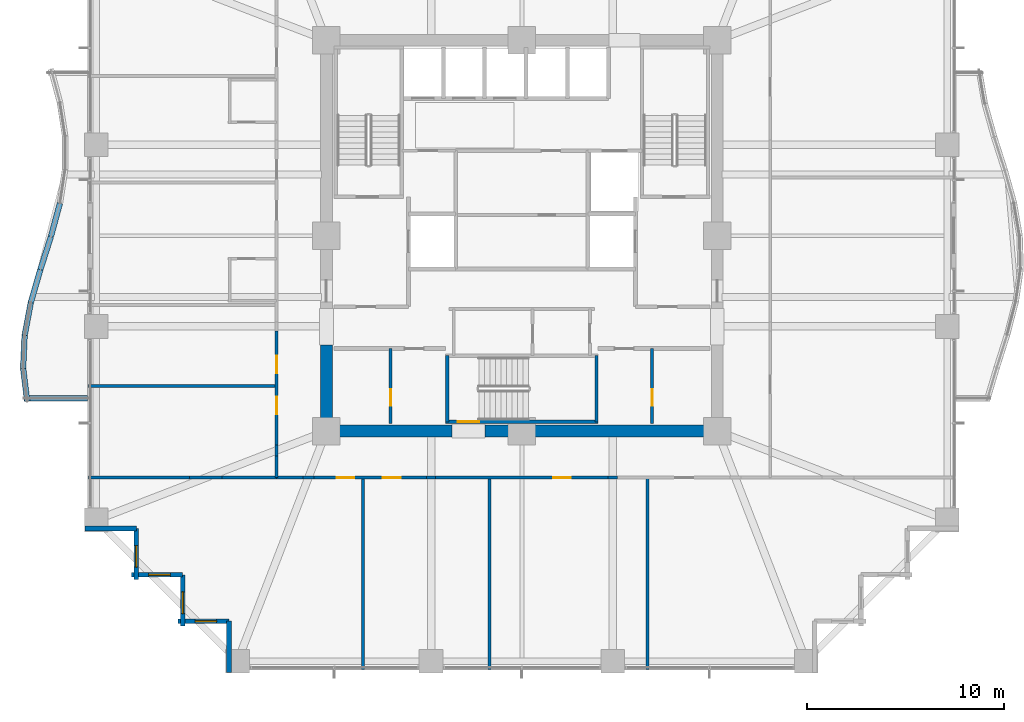
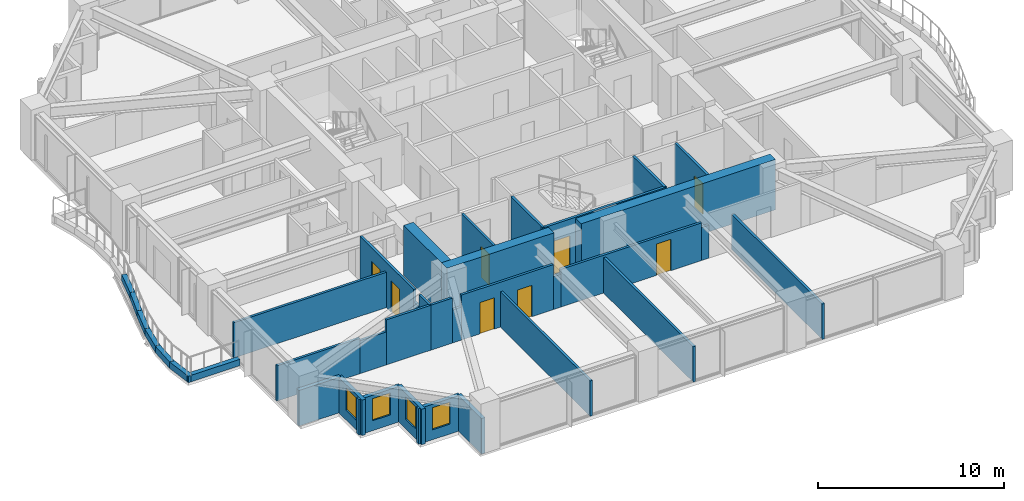
# One storey, part 32 of 38: 37 walls, 8 doors, 4 windows, 12 openings.
"""IFC4 building model written with IfcOpenShell, lengths in metres."""

from ifc_helpers import new_model, si_unit, direction, frame, frame_2d, origin, place, context, subcontext, project, spatial, rectangle, extrude, material, layer, layer_set, type_object, element, fill, save


model = new_model("IFC4")

# Units and contexts
model_context = context("Model", 3, precision=1e-05, world=origin(), true_north=direction((0.0, 1.0)))
body_context = subcontext(model_context, "Body", "Model", "MODEL_VIEW")
ifc_project = project(units=[si_unit("LENGTHUNIT", "METRE"), si_unit("AREAUNIT", "SQUARE_METRE"), si_unit("VOLUMEUNIT", "CUBIC_METRE"), si_unit("PLANEANGLEUNIT", "RADIAN"), si_unit("MASSUNIT", "GRAM", prefix="KILO")], contexts=[model_context])

# Site, building, storey
site_placement = place(None, origin())
site = spatial("IfcSite", under=ifc_project, at=site_placement, CompositionType="ELEMENT")
building_placement = place(site_placement, origin())
building = spatial("IfcBuilding", under=site, at=building_placement, Name="Kolvaren Belvedere", CompositionType="ELEMENT")
storey_placement = place(building_placement, frame((0.0, 0.0, 60.10009765625)))
storey = spatial("IfcBuildingStorey", under=building, at=storey_placement, Name="L17", CompositionType="ELEMENT", Elevation=60.10009765625)

# Walls
ifc_material_1 = material(Name="Concrete C60/75", Category="concrete")
ifc_layer_1 = layer(ifc_material_1, 0.60009765625)
ifc_layer_set_1 = layer_set([ifc_layer_1], Name="Concrete C60/75")
wall_type_1 = type_object("IfcWallType", Name="CW-CORE-600", PredefinedType="SHEAR", material=ifc_layer_set_1)
wall_1_placement = place(storey_placement, frame((10.199951171875, -9.89990234375, 0.0), z_axis=(0.0, 0.0, 1.0), x_axis=(-1.0, 0.0, 0.0)))
element("IfcWall", 1, at=wall_1_placement, inside=storey, type_object=wall_type_1, Name="L17 South Core Shear Wall 1", PredefinedType="SHEAR", context=body_context, shape_type="SweptSolid", body=[
    extrude(rectangle(XDim=12.06005859375, YDim=0.60009765625, at=frame_2d((6.030029296875, 0.0))), origin(), (0.0, 0.0, 1.0), 3.2998046875),
])
wall_2_placement = place(storey_placement, frame((-3.5400390625, -9.89990234375, 0.0), z_axis=(0.0, 0.0, 1.0), x_axis=(-1.0, 0.0, 0.0)))
element("IfcWall", 2, at=wall_2_placement, inside=storey, type_object=wall_type_1, Name="L17 South Core Shear Wall 2", PredefinedType="SHEAR", context=body_context, shape_type="SweptSolid", body=[
    extrude(rectangle(XDim=6.659912109375, YDim=0.60009765625, at=frame_2d((3.330078125, 0.0))), origin(), (0.0, 0.0, 1.0), 3.2998046875),
])
wall_3_placement = place(storey_placement, frame((-9.89990234375, -9.60009765625, 0.0), z_axis=(0.0, 0.0, 1.0), x_axis=(0.0, 1.0, 0.0)))
element("IfcWall", 3, at=wall_3_placement, inside=storey, type_object=wall_type_1, Name="L17 West Core Shear Wall 1", PredefinedType="SHEAR", context=body_context, shape_type="SweptSolid", body=[
    extrude(rectangle(XDim=4.050048828125, YDim=0.60009765625, at=frame_2d((2.02490234375, 0.0))), origin(), (0.0, 0.0, 1.0), 3.2998046875),
])

# Wall, opening, door
ifc_material_2 = material(Name="Concrete C50/60", Category="concrete")
ifc_layer_2 = layer(ifc_material_2, 0.159912109375)
ifc_layer_set_2 = layer_set([ifc_layer_2], Name="Concrete C50/60")
wall_type_2 = type_object("IfcWallType", Name="CW-STAIR-160", PredefinedType="SHEAR", material=ifc_layer_set_2)
wall_4_placement = place(storey_placement, frame((3.860107421875, -9.429931640625, 0.0), z_axis=(0.0, 0.0, 1.0), x_axis=(-1.0, 0.0, 0.0)))
wall_4 = element("IfcWall", 4, at=wall_4_placement, inside=storey, type_object=wall_type_2, Name="L17 Stair ST-3 South Shear Wall", PredefinedType="SHEAR", context=body_context, shape_type="SweptSolid", body=[
    extrude(rectangle(XDim=7.72021484375, YDim=0.159912109375, at=frame_2d((3.860107421875, 0.0))), origin(), (0.0, 0.0, 1.0), 3.2998046875),
])
opening_1_placement = place(wall_4_placement, frame((6.010009765625, 0.0, 0.0)))
opening_1 = element("IfcOpeningElement", 5, at=opening_1_placement, cuts=wall_4, Name="Opening D-FD90", PredefinedType="OPENING", context=body_context, shape_type="SweptSolid", body=[
    extrude(rectangle(XDim=1.10009765625, YDim=2.199951171875, at=frame_2d((0.550048828125, 1.10009765625))), frame((0.0, 0.08984375, 0.0), z_axis=(0.0, -1.0, 0.0), x_axis=(1.0, 0.0, 0.0)), (0.0, 0.0, 1.0), 0.179931640625),
])
ifc_material_3 = material(Name="Painted hollow stainless steel", Category="steel")
door_type_1 = type_object("IfcDoorType", Name="DR-FD90-1100", OperationType="NOTDEFINED", PredefinedType="DOOR", material=ifc_material_3)
door_1_placement = place(opening_1_placement, origin())
door_1 = element("IfcDoor", 6, at=door_1_placement, inside=storey, type_object=door_type_1, Name="L17 Stair ST-3 Exit Door", OperationType="SINGLE_SWING_RIGHT", OverallHeight=2.199951171875, OverallWidth=1.10009765625, PredefinedType="DOOR", context=body_context, shape_type="SweptSolid", body=[
    extrude(rectangle(XDim=1.10009765625, YDim=2.199951171875, at=frame_2d((0.550048828125, 1.10009765625))), frame((0.0, 0.02490234375, 0.0), z_axis=(0.0, -1.0, 0.0), x_axis=(1.0, 0.0, 0.0)), (0.0, 0.0, 1.0), 0.050048828125),
])
fill(opening_1, door_1)

# Walls
for number, where, z_axis, x_axis, name in (
    (7, (-3.780029296875, -9.429931640625, 0.0), (0.0, 0.0, 1.0), (0.0, 1.0, 0.0), "L17 Stair ST-3 West Shear Wall"),
    (8, (3.780029296875, -9.429931640625, 0.0), (0.0, 0.0, 1.0), (0.0, 1.0, 0.0), "L17 Stair ST-3 East Shear Wall"),
):
    element("IfcWall", number, at=place(storey_placement, frame(where, z_axis=z_axis, x_axis=x_axis)), inside=storey, type_object=wall_type_2, Name=name, PredefinedType="SHEAR", context=body_context, shape_type="SweptSolid", body=[
        extrude(rectangle(XDim=3.349853515625, YDim=0.159912109375, at=frame_2d((1.6748046875, 0.0))), origin(), (0.0, 0.0, 1.0), 3.2998046875),
    ])
ifc_material_4 = material(Name="Gypsum fire-rated partition assembly", Category="gypsum")
ifc_layer_3 = layer(ifc_material_4, 0.14990234375)
ifc_layer_set_3 = layer_set([ifc_layer_3], Name="Gypsum fire-rated partition assembly")
wall_type_3 = type_object("IfcWallType", Name="WL-CORR-150", PredefinedType="PARTITIONING", material=ifc_layer_set_3)
wall_5_placement = place(storey_placement, frame((-12.419921875, -12.260009765625, 0.0), z_axis=(0.0, 0.0, 1.0), x_axis=(1.0, 0.0, 0.0)))
element("IfcWall", 9, at=wall_5_placement, inside=storey, type_object=wall_type_3, Name="L17 South Corridor Wall", PredefinedType="PARTITIONING", context=body_context, shape_type="SweptSolid", body=[
    extrude(rectangle(XDim=1.32763671875, YDim=0.14990234375, at=frame_2d((0.663818359375, 0.0))), origin(), (0.0, 0.0, 1.0), 2.949951171875),
])
wall_6_placement = place(storey_placement, frame((-11.09228515625, -12.260009765625, 0.0), z_axis=(0.0, 0.0, 1.0), x_axis=(1.0, 0.0, 0.0)))
element("IfcWall", 10, at=wall_6_placement, inside=storey, type_object=wall_type_3, Name="L17 South Corridor Wall", PredefinedType="PARTITIONING", context=body_context, shape_type="SweptSolid", body=[
    extrude(rectangle(XDim=0.561279296875, YDim=0.14990234375, at=frame_2d((0.28076171875, 0.0))), origin(), (0.0, 0.0, 1.0), 2.161865234375),
])

# Wall, openings, doors
wall_7_placement = place(storey_placement, frame((-10.531005859375, -12.260009765625, 0.0), z_axis=(0.0, 0.0, 1.0), x_axis=(1.0, 0.0, 0.0)))
wall_7 = element("IfcWall", 11, at=wall_7_placement, inside=storey, type_object=wall_type_3, Name="L17 South Corridor Wall", PredefinedType="PARTITIONING", context=body_context, shape_type="SweptSolid", body=[
    extrude(rectangle(XDim=5.698486328125, YDim=0.14990234375, at=frame_2d((2.84912109375, 0.0))), origin(), (0.0, 0.0, 1.0), 2.949951171875),
])
opening_2_placement = place(wall_7_placement, frame((1.1494140625, 0.0, 0.0)))
opening_2 = element("IfcOpeningElement", 12, at=opening_2_placement, cuts=wall_7, Name="Opening D-INT90", PredefinedType="OPENING", context=body_context, shape_type="SweptSolid", body=[
    extrude(rectangle(XDim=0.89990234375, YDim=2.06005859375, at=frame_2d((0.449951171875, 1.030029296875))), frame((0.0, 0.0849609375, 0.0), z_axis=(0.0, -1.0, 0.0), x_axis=(1.0, 0.0, 0.0)), (0.0, 0.0, 1.0), 0.169921875),
])
opening_3_placement = place(wall_7_placement, frame((3.484375, 0.0, 0.0)))
opening_3 = element("IfcOpeningElement", 13, at=opening_3_placement, cuts=wall_7, Name="Opening D-INT90", PredefinedType="OPENING", context=body_context, shape_type="SweptSolid", body=[
    extrude(rectangle(XDim=0.89990234375, YDim=2.06005859375, at=frame_2d((0.449951171875, 1.030029296875))), frame((0.0, 0.0849609375, 0.0), z_axis=(0.0, -1.0, 0.0), x_axis=(1.0, 0.0, 0.0)), (0.0, 0.0, 1.0), 0.169921875),
])
ifc_material_5 = material(Name="Stained Pacific white oak", Category="timber")
door_type_2 = type_object("IfcDoorType", Name="DR-INT-900", OperationType="NOTDEFINED", PredefinedType="DOOR", material=ifc_material_5)
door_2_placement = place(opening_2_placement, origin())
door_2 = element("IfcDoor", 14, at=door_2_placement, inside=storey, type_object=door_type_2, Name="L17 Lounge 1701 Door", OperationType="SINGLE_SWING_LEFT", OverallHeight=2.06005859375, OverallWidth=0.89990234375, PredefinedType="DOOR", context=body_context, shape_type="SweptSolid", body=[
    extrude(rectangle(XDim=0.89990234375, YDim=2.06005859375, at=frame_2d((0.449951171875, 1.030029296875))), frame((0.0, 0.02490234375, 0.0), z_axis=(0.0, -1.0, 0.0), x_axis=(1.0, 0.0, 0.0)), (0.0, 0.0, 1.0), 0.050048828125),
])
fill(opening_2, door_2)
door_3_placement = place(opening_3_placement, origin())
door_3 = element("IfcDoor", 15, at=door_3_placement, inside=storey, type_object=door_type_2, Name="L17 Guest Tea & Espresso Kitchen 1702 Door", OperationType="SINGLE_SWING_RIGHT", OverallHeight=2.06005859375, OverallWidth=0.89990234375, PredefinedType="DOOR", context=body_context, shape_type="SweptSolid", body=[
    extrude(rectangle(XDim=0.89990234375, YDim=2.06005859375, at=frame_2d((0.449951171875, 1.030029296875))), frame((0.0, 0.02490234375, 0.0), z_axis=(0.0, -1.0, 0.0), x_axis=(1.0, 0.0, 0.0)), (0.0, 0.0, 1.0), 0.050048828125),
])
fill(opening_3, door_3)

# Wall
wall_8_placement = place(storey_placement, frame((-4.83251953125, -12.260009765625, 0.0), z_axis=(0.0, 0.0, 1.0), x_axis=(1.0, 0.0, 0.0)))
element("IfcWall", 16, at=wall_8_placement, inside=storey, type_object=wall_type_3, Name="L17 South Corridor Wall", PredefinedType="PARTITIONING", context=body_context, shape_type="SweptSolid", body=[
    extrude(rectangle(XDim=0.465087890625, YDim=0.14990234375, at=frame_2d((0.232421875, 0.0))), origin(), (0.0, 0.0, 1.0), 2.161865234375),
])

# Wall, opening, door
wall_9_placement = place(storey_placement, frame((-4.367431640625, -12.260009765625, 0.0), z_axis=(0.0, 0.0, 1.0), x_axis=(1.0, 0.0, 0.0)))
wall_9 = element("IfcWall", 17, at=wall_9_placement, inside=storey, type_object=wall_type_3, Name="L17 South Corridor Wall", PredefinedType="PARTITIONING", context=body_context, shape_type="SweptSolid", body=[
    extrude(rectangle(XDim=8.73486328125, YDim=0.14990234375, at=frame_2d((4.367431640625, 0.0))), origin(), (0.0, 0.0, 1.0), 2.474853515625),
])
opening_4_placement = place(wall_9_placement, frame((5.947509765625, 0.0, 0.0)))
opening_4 = element("IfcOpeningElement", 18, at=opening_4_placement, cuts=wall_9, Name="Opening D-INT90", PredefinedType="OPENING", context=body_context, shape_type="SweptSolid", body=[
    extrude(rectangle(XDim=0.89990234375, YDim=2.06005859375, at=frame_2d((0.449951171875, 1.030029296875))), frame((0.0, 0.0849609375, 0.0), z_axis=(0.0, -1.0, 0.0), x_axis=(1.0, 0.0, 0.0)), (0.0, 0.0, 1.0), 0.169921875),
])
door_4_placement = place(opening_4_placement, origin())
door_4 = element("IfcDoor", 19, at=door_4_placement, inside=storey, type_object=door_type_2, Name="L17 Private Hospitality Meeting Room 1703 Door", OperationType="SINGLE_SWING_LEFT", OverallHeight=2.06005859375, OverallWidth=0.89990234375, PredefinedType="DOOR", context=body_context, shape_type="SweptSolid", body=[
    extrude(rectangle(XDim=0.89990234375, YDim=2.06005859375, at=frame_2d((0.449951171875, 1.030029296875))), frame((0.0, 0.02490234375, 0.0), z_axis=(0.0, -1.0, 0.0), x_axis=(1.0, 0.0, 0.0)), (0.0, 0.0, 1.0), 0.050048828125),
])
fill(opening_4, door_4)

# Walls
wall_10_placement = place(storey_placement, frame((4.367431640625, -12.260009765625, 0.0), z_axis=(0.0, 0.0, 1.0), x_axis=(1.0, 0.0, 0.0)))
element("IfcWall", 20, at=wall_10_placement, inside=storey, type_object=wall_type_3, Name="L17 South Corridor Wall", PredefinedType="PARTITIONING", context=body_context, shape_type="SweptSolid", body=[
    extrude(rectangle(XDim=0.465087890625, YDim=0.14990234375, at=frame_2d((0.232421875, 0.0))), origin(), (0.0, 0.0, 1.0), 2.161865234375),
])
wall_11_placement = place(storey_placement, frame((-12.419921875, -12.260009765625, 0.0), z_axis=(0.0, 0.0, 1.0), x_axis=(0.0, 1.0, 0.0)))
element("IfcWall", 21, at=wall_11_placement, inside=storey, type_object=wall_type_3, Name="L17 West Corridor Wall", PredefinedType="PARTITIONING", context=body_context, shape_type="SweptSolid", body=[
    extrude(rectangle(XDim=1.10595703125, YDim=0.14990234375, at=frame_2d((0.552978515625, 0.0))), origin(), (0.0, 0.0, 1.0), 2.949951171875),
])
wall_12_placement = place(storey_placement, frame((-12.419921875, -11.154052734375, 0.0), z_axis=(0.0, 0.0, 1.0), x_axis=(0.0, 1.0, 0.0)))
element("IfcWall", 22, at=wall_12_placement, inside=storey, type_object=wall_type_3, Name="L17 West Corridor Wall", PredefinedType="PARTITIONING", context=body_context, shape_type="SweptSolid", body=[
    extrude(rectangle(XDim=0.561279296875, YDim=0.14990234375, at=frame_2d((0.28076171875, 0.0))), origin(), (0.0, 0.0, 1.0), 2.161865234375),
])

# Wall, openings, doors
wall_13_placement = place(storey_placement, frame((-12.419921875, -10.5927734375, 0.0), z_axis=(0.0, 0.0, 1.0), x_axis=(0.0, 1.0, 0.0)))
wall_13 = element("IfcWall", 23, at=wall_13_placement, inside=storey, type_object=wall_type_3, Name="L17 West Corridor Wall", PredefinedType="PARTITIONING", context=body_context, shape_type="SweptSolid", body=[
    extrude(rectangle(XDim=5.76025390625, YDim=0.14990234375, at=frame_2d((2.880126953125, 0.0))), origin(), (0.0, 0.0, 1.0), 2.949951171875),
])
opening_5_placement = place(wall_13_placement, frame((1.535888671875, 0.0, 0.0)))
opening_5 = element("IfcOpeningElement", 24, at=opening_5_placement, cuts=wall_13, Name="Opening D-INT90", PredefinedType="OPENING", context=body_context, shape_type="SweptSolid", body=[
    extrude(rectangle(XDim=0.89990234375, YDim=2.06005859375, at=frame_2d((0.449951171875, 1.030029296875))), frame((0.0, 0.0849609375, 0.0), z_axis=(0.0, -1.0, 0.0), x_axis=(1.0, 0.0, 0.0)), (0.0, 0.0, 1.0), 0.169921875),
])
opening_6_placement = place(wall_13_placement, frame((3.612060546875, 0.0, 0.0)))
opening_6 = element("IfcOpeningElement", 25, at=opening_6_placement, cuts=wall_13, Name="Opening D-INT90", PredefinedType="OPENING", context=body_context, shape_type="SweptSolid", body=[
    extrude(rectangle(XDim=0.89990234375, YDim=2.06005859375, at=frame_2d((0.449951171875, 1.030029296875))), frame((0.0, 0.0849609375, 0.0), z_axis=(0.0, -1.0, 0.0), x_axis=(1.0, 0.0, 0.0)), (0.0, 0.0, 1.0), 0.169921875),
])
door_5_placement = place(opening_5_placement, origin())
door_5 = element("IfcDoor", 26, at=door_5_placement, inside=storey, type_object=door_type_2, Name="L17 Lounge 1707 Door", OperationType="SINGLE_SWING_LEFT", OverallHeight=2.06005859375, OverallWidth=0.89990234375, PredefinedType="DOOR", context=body_context, shape_type="SweptSolid", body=[
    extrude(rectangle(XDim=0.89990234375, YDim=2.06005859375, at=frame_2d((0.449951171875, 1.030029296875))), frame((0.0, 0.02490234375, 0.0), z_axis=(0.0, -1.0, 0.0), x_axis=(1.0, 0.0, 0.0)), (0.0, 0.0, 1.0), 0.050048828125),
])
fill(opening_5, door_5)
door_6_placement = place(opening_6_placement, origin())
door_6 = element("IfcDoor", 27, at=door_6_placement, inside=storey, type_object=door_type_2, Name="L17 Lounge 1708 Door", OperationType="SINGLE_SWING_RIGHT", OverallHeight=2.06005859375, OverallWidth=0.89990234375, PredefinedType="DOOR", context=body_context, shape_type="SweptSolid", body=[
    extrude(rectangle(XDim=0.89990234375, YDim=2.06005859375, at=frame_2d((0.449951171875, 1.030029296875))), frame((0.0, 0.02490234375, 0.0), z_axis=(0.0, -1.0, 0.0), x_axis=(1.0, 0.0, 0.0)), (0.0, 0.0, 1.0), 0.050048828125),
])
fill(opening_6, door_6)

# Wall
ifc_material_6 = material(Name="Insulated pale-metal facade wall assembly", Category="aluminium")
ifc_layer_4 = layer(ifc_material_6, 0.239990234375)
ifc_layer_set_4 = layer_set([ifc_layer_4], Name="Insulated pale-metal facade wall assembly")
wall_type_4 = type_object("IfcWallType", Name="WL-EXT-240", PredefinedType="STANDARD", material=ifc_layer_set_4)
wall_14_placement = place(storey_placement, frame((-19.530029296875, -14.830078125, 0.0), z_axis=(0.0, 0.0, 1.0), x_axis=(-1.0, 0.0, 0.0)))
element("IfcWall", 28, at=wall_14_placement, inside=storey, type_object=wall_type_4, Name="L17 Serrated Corner Facade Wall 23", PredefinedType="STANDARD", context=body_context, shape_type="SweptSolid", body=[
    extrude(rectangle(XDim=2.590087890625, YDim=0.239990234375, at=frame_2d((1.294921875, 0.0))), origin(), (0.0, 0.0, 1.0), 2.328857421875),
])

# Wall, opening, window
wall_15_placement = place(storey_placement, frame((-19.530029296875, -17.419921875, 0.0), z_axis=(0.0, 0.0, 1.0), x_axis=(0.0, 1.0, 0.0)))
wall_15 = element("IfcWall", 29, at=wall_15_placement, inside=storey, type_object=wall_type_4, Name="L17 Serrated Corner Facade Wall 24", PredefinedType="STANDARD", context=body_context, shape_type="SweptSolid", body=[
    extrude(rectangle(XDim=2.58984375, YDim=0.239990234375, at=frame_2d((1.294921875, 0.0))), origin(), (0.0, 0.0, 1.0), 2.328857421875),
])
opening_7_placement = place(wall_15_placement, frame((0.625, 0.0, 0.64990234375)))
opening_7 = element("IfcOpeningElement", 30, at=opening_7_placement, cuts=wall_15, Name="Opening W-1100", PredefinedType="OPENING", context=body_context, shape_type="SweptSolid", body=[
    extrude(rectangle(XDim=1.10009765625, YDim=1.449951171875, at=frame_2d((0.550048828125, 0.72509765625))), frame((0.0, 0.1298828125, 0.0), z_axis=(0.0, -1.0, 0.0), x_axis=(1.0, 0.0, 0.0)), (0.0, 0.0, 1.0), 0.260009765625),
])
ifc_material_7 = material(Name="Low-iron triple insulated glass", Category="glass")
window_type = type_object("IfcWindowType", Name="WN-CORN-1100", PartitioningType="SINGLE_PANEL", PredefinedType="WINDOW", material=ifc_material_7)
window_1_placement = place(opening_7_placement, origin())
window_1 = element("IfcWindow", 31, at=window_1_placement, inside=storey, type_object=window_type, Name="L17 Serrated Corner Vision Window 24", OverallHeight=1.449951171875, OverallWidth=1.10009765625, PartitioningType="SINGLE_PANEL", PredefinedType="WINDOW", context=body_context, shape_type="SweptSolid", body=[
    extrude(rectangle(XDim=1.10009765625, YDim=1.449951171875, at=frame_2d((0.550048828125, 0.72509765625))), frame((0.0, 0.030029296875, 0.0), z_axis=(0.0, -1.0, 0.0), x_axis=(1.0, 0.0, 0.0)), (0.0, 0.0, 1.0), 0.06005859375),
])
fill(opening_7, window_1)

wall_16_placement = place(storey_placement, frame((-17.179931640625, -17.179931640625, 0.0), z_axis=(0.0, 0.0, 1.0), x_axis=(-1.0, 0.0, 0.0)))
wall_16 = element("IfcWall", 32, at=wall_16_placement, inside=storey, type_object=wall_type_4, Name="L17 Serrated Corner Facade Wall 25", PredefinedType="STANDARD", context=body_context, shape_type="SweptSolid", body=[
    extrude(rectangle(XDim=2.590087890625, YDim=0.239990234375, at=frame_2d((1.294921875, 0.0))), origin(), (0.0, 0.0, 1.0), 2.328857421875),
])
opening_8_placement = place(wall_16_placement, frame((0.625, 0.0, 0.64990234375)))
opening_8 = element("IfcOpeningElement", 33, at=opening_8_placement, cuts=wall_16, Name="Opening W-1100", PredefinedType="OPENING", context=body_context, shape_type="SweptSolid", body=[
    extrude(rectangle(XDim=1.10009765625, YDim=1.449951171875, at=frame_2d((0.550048828125, 0.72509765625))), frame((0.0, 0.1298828125, 0.0), z_axis=(0.0, -1.0, 0.0), x_axis=(1.0, 0.0, 0.0)), (0.0, 0.0, 1.0), 0.260009765625),
])
window_2_placement = place(opening_8_placement, origin())
window_2 = element("IfcWindow", 34, at=window_2_placement, inside=storey, type_object=window_type, Name="L17 Serrated Corner Vision Window 25", OverallHeight=1.449951171875, OverallWidth=1.10009765625, PartitioningType="SINGLE_PANEL", PredefinedType="WINDOW", context=body_context, shape_type="SweptSolid", body=[
    extrude(rectangle(XDim=1.10009765625, YDim=1.449951171875, at=frame_2d((0.550048828125, 0.72509765625))), frame((0.0, 0.030029296875, 0.0), z_axis=(0.0, -1.0, 0.0), x_axis=(1.0, 0.0, 0.0)), (0.0, 0.0, 1.0), 0.06005859375),
])
fill(opening_8, window_2)

wall_17_placement = place(storey_placement, frame((-17.179931640625, -19.77001953125, 0.0), z_axis=(0.0, 0.0, 1.0), x_axis=(0.0, 1.0, 0.0)))
wall_17 = element("IfcWall", 35, at=wall_17_placement, inside=storey, type_object=wall_type_4, Name="L17 Serrated Corner Facade Wall 26", PredefinedType="STANDARD", context=body_context, shape_type="SweptSolid", body=[
    extrude(rectangle(XDim=2.590087890625, YDim=0.239990234375, at=frame_2d((1.294921875, 0.0))), origin(), (0.0, 0.0, 1.0), 2.328857421875),
])
opening_9_placement = place(wall_17_placement, frame((0.625, 0.0, 0.64990234375)))
opening_9 = element("IfcOpeningElement", 36, at=opening_9_placement, cuts=wall_17, Name="Opening W-1100", PredefinedType="OPENING", context=body_context, shape_type="SweptSolid", body=[
    extrude(rectangle(XDim=1.10009765625, YDim=1.449951171875, at=frame_2d((0.550048828125, 0.72509765625))), frame((0.0, 0.1298828125, 0.0), z_axis=(0.0, -1.0, 0.0), x_axis=(1.0, 0.0, 0.0)), (0.0, 0.0, 1.0), 0.260009765625),
])
window_3_placement = place(opening_9_placement, origin())
window_3 = element("IfcWindow", 37, at=window_3_placement, inside=storey, type_object=window_type, Name="L17 Serrated Corner Vision Window 26", OverallHeight=1.449951171875, OverallWidth=1.10009765625, PartitioningType="SINGLE_PANEL", PredefinedType="WINDOW", context=body_context, shape_type="SweptSolid", body=[
    extrude(rectangle(XDim=1.10009765625, YDim=1.449951171875, at=frame_2d((0.550048828125, 0.72509765625))), frame((0.0, 0.030029296875, 0.0), z_axis=(0.0, -1.0, 0.0), x_axis=(1.0, 0.0, 0.0)), (0.0, 0.0, 1.0), 0.06005859375),
])
fill(opening_9, window_3)

wall_18_placement = place(storey_placement, frame((-14.830078125, -19.530029296875, 0.0), z_axis=(0.0, 0.0, 1.0), x_axis=(-1.0, 0.0, 0.0)))
wall_18 = element("IfcWall", 38, at=wall_18_placement, inside=storey, type_object=wall_type_4, Name="L17 Serrated Corner Facade Wall 27", PredefinedType="STANDARD", context=body_context, shape_type="SweptSolid", body=[
    extrude(rectangle(XDim=2.58984375, YDim=0.239990234375, at=frame_2d((1.294921875, 0.0))), origin(), (0.0, 0.0, 1.0), 2.328857421875),
])
opening_10_placement = place(wall_18_placement, frame((0.625, 0.0, 0.64990234375)))
opening_10 = element("IfcOpeningElement", 39, at=opening_10_placement, cuts=wall_18, Name="Opening W-1100", PredefinedType="OPENING", context=body_context, shape_type="SweptSolid", body=[
    extrude(rectangle(XDim=1.10009765625, YDim=1.449951171875, at=frame_2d((0.550048828125, 0.72509765625))), frame((0.0, 0.1298828125, 0.0), z_axis=(0.0, -1.0, 0.0), x_axis=(1.0, 0.0, 0.0)), (0.0, 0.0, 1.0), 0.260009765625),
])
window_4_placement = place(opening_10_placement, origin())
window_4 = element("IfcWindow", 40, at=window_4_placement, inside=storey, type_object=window_type, Name="L17 Serrated Corner Vision Window 27", OverallHeight=1.449951171875, OverallWidth=1.10009765625, PartitioningType="SINGLE_PANEL", PredefinedType="WINDOW", context=body_context, shape_type="SweptSolid", body=[
    extrude(rectangle(XDim=1.10009765625, YDim=1.449951171875, at=frame_2d((0.550048828125, 0.72509765625))), frame((0.0, 0.030029296875, 0.0), z_axis=(0.0, -1.0, 0.0), x_axis=(1.0, 0.0, 0.0)), (0.0, 0.0, 1.0), 0.06005859375),
])
fill(opening_10, window_4)

# Wall
wall_19_placement = place(storey_placement, frame((-14.830078125, -22.1201171875, 0.0), z_axis=(0.0, 0.0, 1.0), x_axis=(0.0, 1.0, 0.0)))
element("IfcWall", 41, at=wall_19_placement, inside=storey, type_object=wall_type_4, Name="L17 Serrated Corner Facade Wall 28", PredefinedType="STANDARD", context=body_context, shape_type="SweptSolid", body=[
    extrude(rectangle(XDim=2.590087890625, YDim=0.239990234375, at=frame_2d((1.294921875, 0.0))), origin(), (0.0, 0.0, 1.0), 2.328857421875),
])

# Wall, opening, door
ifc_material_8 = material(Name="Gypsum acoustic partition assembly", Category="gypsum")
ifc_layer_5 = layer(ifc_material_8, 0.14990234375)
ifc_layer_set_5 = layer_set([ifc_layer_5], Name="Gypsum acoustic partition assembly")
wall_type_5 = type_object("IfcWallType", Name="WL-PART-150", PredefinedType="PARTITIONING", material=ifc_layer_set_5)
wall_20_placement = place(storey_placement, frame((-6.64990234375, -9.52001953125, 0.0), z_axis=(0.0, 0.0, 1.0), x_axis=(0.0, 1.0, 0.0)))
wall_20 = element("IfcWall", 42, at=wall_20_placement, inside=storey, type_object=wall_type_5, Name="L17 SW Core Divider", PredefinedType="PARTITIONING", context=body_context, shape_type="SweptSolid", body=[
    extrude(rectangle(XDim=3.800048828125, YDim=0.14990234375, at=frame_2d((1.89990234375, 0.0))), origin(), (0.0, 0.0, 1.0), 2.949951171875),
])
opening_11_placement = place(wall_20_placement, frame((0.89990234375, 0.0, 0.0)))
opening_11 = element("IfcOpeningElement", 43, at=opening_11_placement, cuts=wall_20, Name="Opening D-INT85", PredefinedType="OPENING", context=body_context, shape_type="SweptSolid", body=[
    extrude(rectangle(XDim=0.85009765625, YDim=2.030029296875, at=frame_2d((0.425048828125, 1.01513671875))), frame((0.0, 0.0849609375, 0.0), z_axis=(0.0, -1.0, 0.0), x_axis=(1.0, 0.0, 0.0)), (0.0, 0.0, 1.0), 0.169921875),
])
ifc_material_9 = material(Name="Stained Pacific white oak", Category="timber")
door_type_3 = type_object("IfcDoorType", Name="DR-INT-850", OperationType="NOTDEFINED", PredefinedType="DOOR", material=ifc_material_9)
door_7_placement = place(opening_11_placement, origin())
door_7 = element("IfcDoor", 44, at=door_7_placement, inside=storey, type_object=door_type_3, Name="L17 SW Valet Door", OperationType="SINGLE_SWING_RIGHT", OverallHeight=2.030029296875, OverallWidth=0.85009765625, PredefinedType="DOOR", context=body_context, shape_type="SweptSolid", body=[
    extrude(rectangle(XDim=0.85009765625, YDim=2.030029296875, at=frame_2d((0.425048828125, 1.01513671875))), frame((0.0, 0.02490234375, 0.0), z_axis=(0.0, -1.0, 0.0), x_axis=(1.0, 0.0, 0.0)), (0.0, 0.0, 1.0), 0.050048828125),
])
fill(opening_11, door_7)

wall_21_placement = place(storey_placement, frame((6.60009765625, -9.52001953125, 0.0), z_axis=(0.0, 0.0, 1.0), x_axis=(0.0, 1.0, 0.0)))
wall_21 = element("IfcWall", 45, at=wall_21_placement, inside=storey, type_object=wall_type_5, Name="L17 SE Core Divider", PredefinedType="PARTITIONING", context=body_context, shape_type="SweptSolid", body=[
    extrude(rectangle(XDim=3.800048828125, YDim=0.14990234375, at=frame_2d((1.89990234375, 0.0))), origin(), (0.0, 0.0, 1.0), 2.949951171875),
])
opening_12_placement = place(wall_21_placement, frame((0.89990234375, 0.0, 0.0)))
opening_12 = element("IfcOpeningElement", 46, at=opening_12_placement, cuts=wall_21, Name="Opening D-INT85", PredefinedType="OPENING", context=body_context, shape_type="SweptSolid", body=[
    extrude(rectangle(XDim=0.85009765625, YDim=2.030029296875, at=frame_2d((0.425048828125, 1.01513671875))), frame((0.0, 0.0849609375, 0.0), z_axis=(0.0, -1.0, 0.0), x_axis=(1.0, 0.0, 0.0)), (0.0, 0.0, 1.0), 0.169921875),
])
door_8_placement = place(opening_12_placement, origin())
door_8 = element("IfcDoor", 47, at=door_8_placement, inside=storey, type_object=door_type_3, Name="L17 SE Switchboard Door", OperationType="SINGLE_SWING_LEFT", OverallHeight=2.030029296875, OverallWidth=0.85009765625, PredefinedType="DOOR", context=body_context, shape_type="SweptSolid", body=[
    extrude(rectangle(XDim=0.85009765625, YDim=2.030029296875, at=frame_2d((0.425048828125, 1.01513671875))), frame((0.0, 0.02490234375, 0.0), z_axis=(0.0, -1.0, 0.0), x_axis=(1.0, 0.0, 0.0)), (0.0, 0.0, 1.0), 0.050048828125),
])
fill(opening_12, door_8)

# Walls
wall_22_placement = place(storey_placement, frame((-21.97998046875, -12.260009765625, 0.0), z_axis=(0.0, 0.0, 1.0), x_axis=(1.0, 0.0, 0.0)))
element("IfcWall", 48, at=wall_22_placement, inside=storey, type_object=wall_type_5, Name="L17 Wing Divider PW-L17-QSW", PredefinedType="PARTITIONING", context=body_context, shape_type="SweptSolid", body=[
    extrude(rectangle(XDim=5.153076171875, YDim=0.14990234375, at=frame_2d((2.57666015625, 0.0))), origin(), (0.0, 0.0, 1.0), 2.31884765625),
])
wall_23_placement = place(storey_placement, frame((-16.826904296875, -12.260009765625, 0.0), z_axis=(0.0, 0.0, 1.0), x_axis=(1.0, 0.0, 0.0)))
element("IfcWall", 49, at=wall_23_placement, inside=storey, type_object=wall_type_5, Name="L17 Wing Divider PW-L17-QSW", PredefinedType="PARTITIONING", context=body_context, shape_type="SweptSolid", body=[
    extrude(rectangle(XDim=1.63427734375, YDim=0.14990234375, at=frame_2d((0.817138671875, 0.0))), origin(), (0.0, 0.0, 1.0), 2.161865234375),
])
wall_24_placement = place(storey_placement, frame((-15.192626953125, -12.260009765625, 0.0), z_axis=(0.0, 0.0, 1.0), x_axis=(1.0, 0.0, 0.0)))
element("IfcWall", 50, at=wall_24_placement, inside=storey, type_object=wall_type_5, Name="L17 Wing Divider PW-L17-QSW", PredefinedType="PARTITIONING", context=body_context, shape_type="SweptSolid", body=[
    extrude(rectangle(XDim=2.772705078125, YDim=0.14990234375, at=frame_2d((1.38623046875, 0.0))), origin(), (0.0, 0.0, 1.0), 2.949951171875),
])
for number, where, z_axis, x_axis, name in (
    (51, (-8.0400390625, -21.97998046875, 0.0), (0.0, 0.0, 1.0), (0.0, 1.0, 0.0), "L17 South Suite Demising Wall 1"),
    (52, (-1.639892578125, -21.97998046875, 0.0), (0.0, 0.0, 1.0), (0.0, 1.0, 0.0), "L17 South Suite Demising Wall 2"),
    (53, (6.360107421875, -21.97998046875, 0.0), (0.0, 0.0, 1.0), (0.0, 1.0, 0.0), "L17 South Suite Demising Wall 3"),
):
    element("IfcWall", number, at=place(storey_placement, frame(where, z_axis=z_axis, x_axis=x_axis)), inside=storey, type_object=wall_type_5, Name=name, PredefinedType="PARTITIONING", context=body_context, shape_type="SweptSolid", body=[
        extrude(rectangle(XDim=9.719970703125, YDim=0.14990234375, at=frame_2d((4.85986328125, 0.0))), origin(), (0.0, 0.0, 1.0), 2.31884765625),
    ])
wall_25_placement = place(storey_placement, frame((-21.97998046875, -7.60400390625, 0.0), z_axis=(0.0, 0.0, 1.0), x_axis=(1.0, 0.0, 0.0)))
element("IfcWall", 54, at=wall_25_placement, inside=storey, type_object=wall_type_5, Name="L17 West Suite Demising Wall 1", PredefinedType="PARTITIONING", context=body_context, shape_type="SweptSolid", body=[
    extrude(rectangle(XDim=9.56005859375, YDim=0.14990234375, at=frame_2d((4.780029296875, 0.0))), origin(), (0.0, 0.0, 1.0), 2.31884765625),
])
ifc_material_10 = material(Name="Precast concrete C40/50", Category="concrete")
ifc_layer_6 = layer(ifc_material_10, 0.300048828125)
ifc_layer_set_6 = layer_set([ifc_layer_6], Name="Precast concrete C40/50")
wall_type_6 = type_object("IfcWallType", Name="WL-PLANTER-300", PredefinedType="PARAPET", material=ifc_layer_set_6)
wall_26_placement = place(storey_placement, frame((-23.398193359375, 1.63818359375, -0.06005859375), z_axis=(0.0, 0.0, 1.0), x_axis=(-0.260682852326, -0.965424492388, 0.0)))
element("IfcWall", 55, at=wall_26_placement, inside=storey, type_object=wall_type_6, Name="L17 Precast Structural Planter Wall BAL-W-5", PredefinedType="PARAPET", context=body_context, shape_type="SweptSolid", body=[
    extrude(rectangle(XDim=1.739990234375, YDim=0.280029296875, at=frame_2d((0.8701171875, 0.0))), origin(), (0.0, 0.0, 1.0), 0.419921875),
])
wall_27_placement = place(storey_placement, frame((-23.85400390625, -0.048583984375, -0.06005859375), z_axis=(0.0, 0.0, 1.0), x_axis=(-0.303906495014, -0.952701864325, 0.0)))
element("IfcWall", 56, at=wall_27_placement, inside=storey, type_object=wall_type_6, Name="L17 Precast Structural Planter Wall BAL-W-6", PredefinedType="PARAPET", context=body_context, shape_type="SweptSolid", body=[
    extrude(rectangle(XDim=1.763427734375, YDim=0.280029296875, at=frame_2d((0.8818359375, 0.0))), origin(), (0.0, 0.0, 1.0), 0.419921875),
])
wall_28_placement = place(storey_placement, frame((-24.388671875, -1.724609375, -0.06005859375), z_axis=(0.0, 0.0, 1.0), x_axis=(-0.277946215201, -0.96059663827, 0.0)))
element("IfcWall", 57, at=wall_28_placement, inside=storey, type_object=wall_type_6, Name="L17 Precast Structural Planter Wall BAL-W-7", PredefinedType="PARAPET", context=body_context, shape_type="SweptSolid", body=[
    extrude(rectangle(XDim=1.748779296875, YDim=0.280029296875, at=frame_2d((0.87451171875, 0.0))), origin(), (0.0, 0.0, 1.0), 0.419921875),
])
wall_29_placement = place(storey_placement, frame((-24.87109375, -3.3896484375, -0.06005859375), z_axis=(0.0, 0.0, 1.0), x_axis=(-0.184814532932, -0.982773416621, 0.0)))
element("IfcWall", 58, at=wall_29_placement, inside=storey, type_object=wall_type_6, Name="L17 Precast Structural Planter Wall BAL-W-8", PredefinedType="PARAPET", context=body_context, shape_type="SweptSolid", body=[
    extrude(rectangle(XDim=1.70947265625, YDim=0.280029296875, at=frame_2d((0.854736328125, 0.0))), origin(), (0.0, 0.0, 1.0), 0.419921875),
])
wall_30_placement = place(storey_placement, frame((-25.184326171875, -5.047119140625, -0.06005859375), z_axis=(0.0, 0.0, 1.0), x_axis=(-0.045144279054, -0.998980477321, 0.0)))
element("IfcWall", 59, at=wall_30_placement, inside=storey, type_object=wall_type_6, Name="L17 Precast Structural Planter Wall BAL-W-9", PredefinedType="PARAPET", context=body_context, shape_type="SweptSolid", body=[
    extrude(rectangle(XDim=1.681884765625, YDim=0.280029296875, at=frame_2d((0.8408203125, 0.0))), origin(), (0.0, 0.0, 1.0), 0.419921875),
])
wall_31_placement = place(storey_placement, frame((-25.26123046875, -6.700439453125, -0.06005859375), z_axis=(0.0, 0.0, 1.0), x_axis=(0.121868867697, -0.992546210051, 0.0)))
element("IfcWall", 60, at=wall_31_placement, inside=storey, type_object=wall_type_6, Name="L17 Precast Structural Planter Wall BAL-W-10", PredefinedType="PARAPET", context=body_context, shape_type="SweptSolid", body=[
    extrude(rectangle(XDim=1.69287109375, YDim=0.280029296875, at=frame_2d((0.846435546875, 0.0))), origin(), (0.0, 0.0, 1.0), 0.419921875),
])
wall_32_placement = place(storey_placement, frame((-25.213623046875, -8.239990234375, -0.06005859375), z_axis=(0.0, 0.0, 1.0), x_axis=(1.0, 0.0, 0.0)))
element("IfcWall", 61, at=wall_32_placement, inside=storey, type_object=wall_type_6, Name="L17 Precast Structural Planter Wall BAL-W-11", PredefinedType="PARAPET", context=body_context, shape_type="SweptSolid", body=[
    extrude(rectangle(XDim=3.213623046875, YDim=0.280029296875, at=frame_2d((1.60693359375, 0.0))), origin(), (0.0, 0.0, 1.0), 0.419921875),
])

save(model, "model.ifc")
